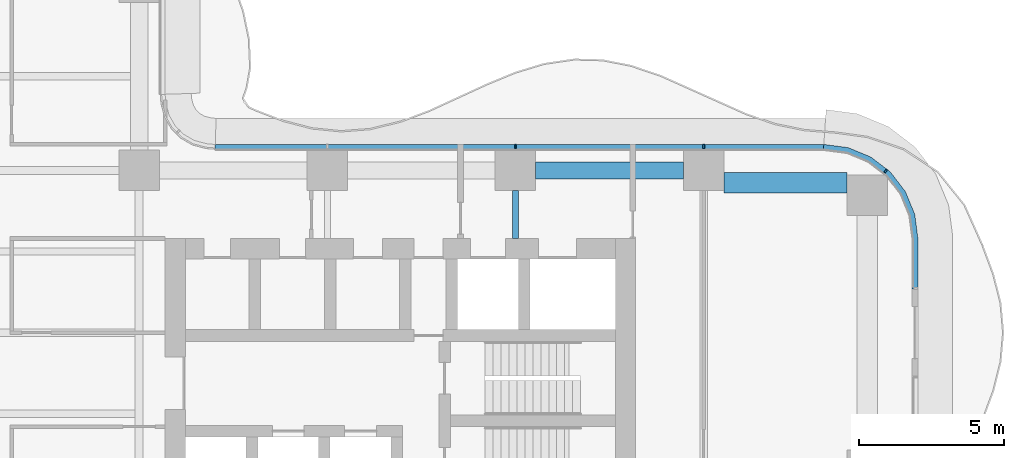
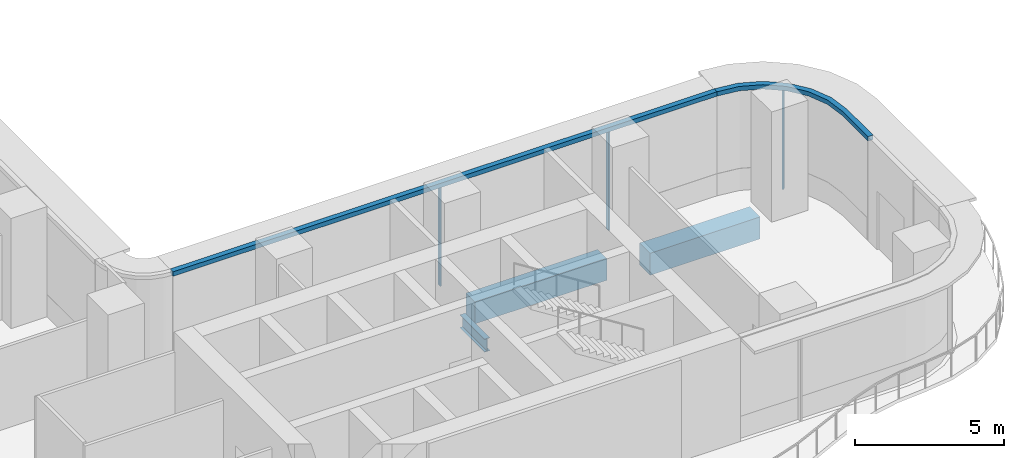
# One storey, part 11 of 22: 5 members, 3 beams, 2 elements without a shape of their own.
"""IFC4 building model written with IfcOpenShell, lengths in metres."""

from ifc_helpers import new_model, si_unit, direction, frame, origin, origin_2d, place, context, subcontext, project, spatial, polyline, rectangle, i_section, outline, extrude, source, transform, mapped, material, layer, layer_set, material_profile, profile_set, type_object, element, aggregate, save


model = new_model("IFC4")

# Units and contexts
model_context = context("Model", 3, precision=1e-05, world=origin(), true_north=direction((0.0, 1.0)))
body_context = subcontext(model_context, "Body", "Model", "MODEL_VIEW")
ifc_project = project(units=[si_unit("LENGTHUNIT", "METRE"), si_unit("AREAUNIT", "SQUARE_METRE"), si_unit("VOLUMEUNIT", "CUBIC_METRE"), si_unit("PLANEANGLEUNIT", "RADIAN"), si_unit("MASSUNIT", "GRAM", prefix="KILO")], contexts=[model_context])

# Site, building, storey
site_placement = place(None, origin())
site = spatial("IfcSite", under=ifc_project, at=site_placement, CompositionType="ELEMENT")
building_placement = place(site_placement, origin())
building = spatial("IfcBuilding", under=site, at=building_placement, Name="Trellis Farm Tower", CompositionType="ELEMENT")
storey_placement = place(building_placement, frame((0.0, 0.0, 43.0)))
storey = spatial("IfcBuildingStorey", under=building, at=storey_placement, Name="L08", CompositionType="ELEMENT", Elevation=43.0)

# Beams
ifc_material_1 = material(Name="Concrete C60/75", Category="concrete")
ifc_material_profile_1 = material_profile(ifc_material_1, rectangle(XDim=0.60009765625, YDim=0.89990234375, at=origin_2d()), Name="RC spandrel beam 600x900 C60/75")
ifc_profile_set_1 = profile_set([ifc_material_profile_1], Name="Concrete C60/75")
beam_type_1 = type_object("IfcBeamType", Name="RC spandrel beam 600x900 C60/75", PredefinedType="SPANDREL", material=ifc_profile_set_1)
shared_shape_1 = source(origin(), body_context, "Body", "SweptSolid", [
    extrude(rectangle(XDim=0.60009765625, YDim=0.89990234375, at=origin_2d()), origin(), (0.0, 0.0, 1.0), 5.099853515625),
])
beam_1_placement = place(storey_placement, frame((19.300048828125, 5.60009765625, -0.699951171875), z_axis=(1.0, 0.0, 0.0), x_axis=(0.0, 1.0, 0.0)))
element("IfcBeam", 1, at=beam_1_placement, inside=storey, type_object=beam_type_1, Name="Girder", PredefinedType="SPANDREL", context=body_context, shape_type="MappedRepresentation", body=[
    mapped(shared_shape_1, transform((0.0, 0.0, 0.0))),
])
ifc_material_profile_2 = material_profile(ifc_material_1, rectangle(XDim=0.699951171875, YDim=0.89990234375, at=origin_2d()), Name="RC spandrel beam 700x900 C60/75")
ifc_profile_set_2 = profile_set([ifc_material_profile_2], Name="Concrete C60/75")
beam_type_2 = type_object("IfcBeamType", Name="RC spandrel beam 700x900 C60/75", PredefinedType="SPANDREL", material=ifc_profile_set_2)
shared_shape_2 = source(origin(), body_context, "Body", "SweptSolid", [
    extrude(rectangle(XDim=0.699951171875, YDim=0.89990234375, at=origin_2d()), origin(), (0.0, 0.0, 1.0), 4.25),
])
beam_2_placement = place(storey_placement, frame((25.800048828125, 5.175048828125, -0.699951171875), z_axis=(1.0, 0.0, 0.0), x_axis=(0.0, 1.0, 0.0)))
element("IfcBeam", 2, at=beam_2_placement, inside=storey, type_object=beam_type_2, Name="Girder", PredefinedType="SPANDREL", context=body_context, shape_type="MappedRepresentation", body=[
    mapped(shared_shape_2, transform((0.0, 0.0, 0.0))),
])
ifc_material_2 = material(Name="Steel S355", Category="steel")
ifc_material_profile_3 = material_profile(ifc_material_2, i_section(OverallWidth=0.209228515625, OverallDepth=0.533203125, WebThickness=0.010009765625, FlangeThickness=0.015625, FilletRadius=0.0126953125, at=origin_2d()), Name="UB 533x210x92")
ifc_profile_set_3 = profile_set([ifc_material_profile_3], Name="Steel S355")
beam_type_3 = type_object("IfcBeamType", Name="UB 533x210x92", PredefinedType="BEAM", material=ifc_profile_set_3)
shared_shape_3 = source(origin(), body_context, "Body", "SweptSolid", [
    extrude(i_section(OverallWidth=0.209228515625, OverallDepth=0.533203125, WebThickness=0.010009765625, FlangeThickness=0.015625, FilletRadius=0.0126953125, at=origin_2d()), origin(), (0.0, 0.0, 1.0), 1.64990234375),
])
beam_3_placement = place(storey_placement, frame((18.60009765625, 3.25, -0.5166015625), z_axis=(0.0, 1.0, 0.0), x_axis=(-1.0, 0.0, 0.0)))
element("IfcBeam", 3, at=beam_3_placement, inside=storey, type_object=beam_type_3, Name="Girder", PredefinedType="BEAM", context=body_context, shape_type="MappedRepresentation", body=[
    mapped(shared_shape_3, transform((0.0, 0.0, 0.0))),
])

# Curtain wall, member
ifc_material_3 = material(Name="Aluminium and glass curtain wall", Category="aluminium")
ifc_layer_1 = layer(ifc_material_3, 0.18994140625)
ifc_layer_set_1 = layer_set([ifc_layer_1], Name="RIBBON CURTAIN WALL CW1")
curtain_wall_type = type_object("IfcCurtainWallType", Name="RIBBON CURTAIN WALL CW1", PredefinedType="NOTDEFINED", material=ifc_layer_set_1)
placement_1 = place(storey_placement, origin())
curtain_wall_1 = element("IfcCurtainWall", 4, at=placement_1, inside=storey, type_object=curtain_wall_type, Name="CW1 007", PredefinedType="NOTDEFINED")
ifc_material_4 = material(Name="Aluminium extrusion 6063-T6", Category="aluminium")
ifc_material_profile_4 = material_profile(ifc_material_4, rectangle(XDim=0.06005859375, YDim=0.14990234375, at=origin_2d()), Name="MULLION 60x150")
ifc_profile_set_4 = profile_set([ifc_material_profile_4], Name="Aluminium extrusion 6063-T6")
member_type_1 = type_object("IfcMemberType", Name="CW1 MULLION 60x150", PredefinedType="MULLION", material=ifc_profile_set_4)
shared_shape_4 = source(origin(), body_context, "Body", "SweptSolid", [
    extrude(rectangle(XDim=0.06005859375, YDim=0.14990234375, at=origin_2d()), origin(), (0.0, 0.0, 1.0), 4.070068359375),
])
member_1_placement = place(storey_placement, frame((31.385498046875, 5.578369140625, 0.0), z_axis=(0.0, 0.0, 1.0), x_axis=(-0.793353340291, 0.608761429009, 0.0)))
member_1 = element("IfcMember", 5, at=member_1_placement, type_object=member_type_1, Name="MU1 007-02", PredefinedType="MULLION", context=body_context, shape_type="MappedRepresentation", body=[
    mapped(shared_shape_4, transform((0.0, 0.0, 0.0))),
])

# Curtain wall, members
curtain_wall_2 = element("IfcCurtainWall", 6, at=placement_1, inside=storey, type_object=curtain_wall_type, Name="CW1 008", PredefinedType="NOTDEFINED")
member_2_placement = place(storey_placement, frame((25.10009765625, 6.425048828125, 0.0), z_axis=(0.0, 0.0, 1.0), x_axis=(-1.0, 0.0, 0.0)))
member_2 = element("IfcMember", 7, at=member_2_placement, type_object=member_type_1, Name="MU1 008-01", PredefinedType="MULLION", context=body_context, shape_type="MappedRepresentation", body=[
    mapped(shared_shape_4, transform((0.0, 0.0, 0.0))),
])
member_3_placement = place(storey_placement, frame((18.60009765625, 6.425048828125, 0.0), z_axis=(0.0, 0.0, 1.0), x_axis=(-1.0, 0.0, 0.0)))
member_3 = element("IfcMember", 8, at=member_3_placement, type_object=member_type_1, Name="MU1 008-02", PredefinedType="MULLION", context=body_context, shape_type="MappedRepresentation", body=[
    mapped(shared_shape_4, transform((0.0, 0.0, 0.0))),
])
ifc_layer_2 = layer(ifc_material_4, 0.199951171875)
ifc_layer_set_2 = layer_set([ifc_layer_2], Name="Aluminium extrusion 6063-T6")
member_type_2 = type_object("IfcMemberType", Name="CW1 TRANSOM 200x180", PredefinedType="USERDEFINED", material=ifc_layer_set_2)
shared_shape_5 = source(origin(), body_context, "Body", "SweptSolid", [
    extrude(outline(polyline([(29.25, 6.5), (8.2314453125, 6.5), (8.224853515625, 6.300048828125), (29.23681640625, 6.300048828125), (29.25, 6.5)])), origin(), (0.0, 0.0, 1.0), 0.179931640625),
])
placement_2 = place(storey_placement, frame((0.0, 0.0, 4.070068359375)))
member_4 = element("IfcMember", 9, at=placement_2, type_object=member_type_2, Name="TR1 008", ObjectType="TRANSOM", PredefinedType="USERDEFINED", context=body_context, shape_type="MappedRepresentation", body=[
    mapped(shared_shape_5, transform((0.0, 0.0, 0.0))),
])
aggregate(curtain_wall_2, [member_2, member_3, member_4])

# Member
shared_shape_6 = source(origin(), body_context, "Body", "SweptSolid", [
    extrude(outline(polyline([(32.5, 1.5), (32.5, 3.25), (32.38916015625, 4.091064453125), (32.064697265625, 4.875), (31.548095703125, 5.548095703125), (30.875, 6.064697265625), (30.091064453125, 6.38916015625), (29.25, 6.5), (29.23681640625, 6.300048828125), (30.0390625, 6.1943359375), (30.774169921875, 5.889892578125), (31.405517578125, 5.405517578125), (31.889892578125, 4.774169921875), (32.1943359375, 4.0390625), (32.300048828125, 3.23681640625), (32.300048828125, 1.5), (32.5, 1.5)])), origin(), (0.0, 0.0, 1.0), 0.179931640625),
])
member_5 = element("IfcMember", 10, at=placement_2, type_object=member_type_2, Name="TR1 007", ObjectType="TRANSOM", PredefinedType="USERDEFINED", context=body_context, shape_type="MappedRepresentation", body=[
    mapped(shared_shape_6, transform((0.0, 0.0, 0.0))),
])

aggregate(curtain_wall_1, [member_1, member_5])

save(model, "model.ifc")
